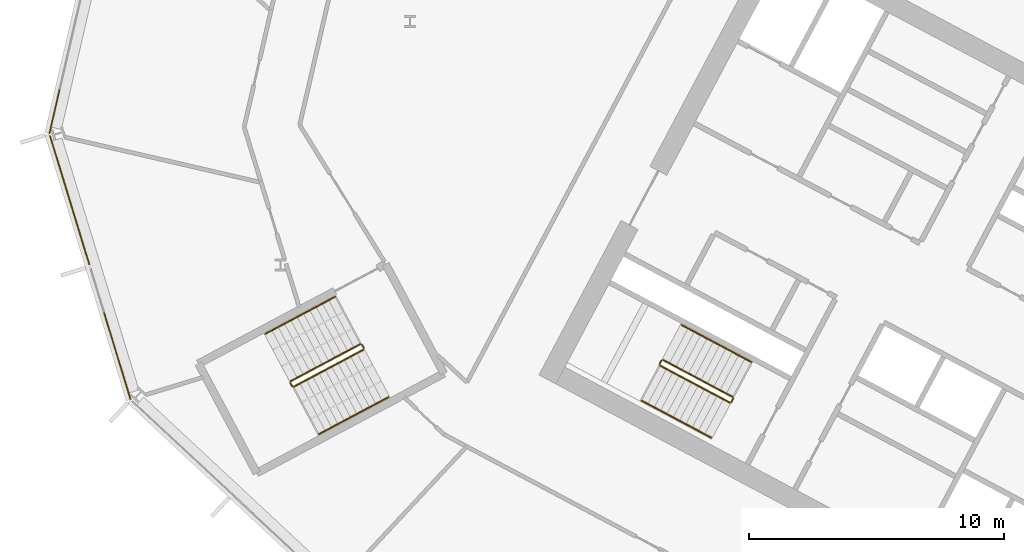
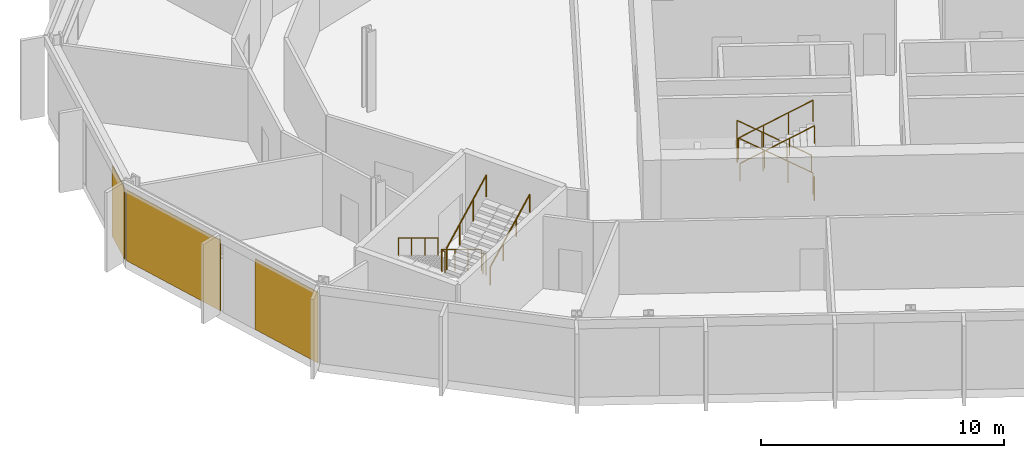
# One storey, part 26 of 34: 12 railings, 3 coverings, 2 elements without a shape of their own.
"""IFC4 building model written with IfcOpenShell, lengths in metres."""

from ifc_helpers import new_model, si_unit, direction, frame, origin, origin_2d, place, context, subcontext, project, spatial, polyline, rectangle, outline, extrude, material, layer, layer_set, type_object, element, aggregate, save


model = new_model("IFC4")

# Units and contexts
model_context = context("Model", 3, precision=1e-05, world=origin(), true_north=direction((0.0, 1.0)))
body_context = subcontext(model_context, "Body", "Model", "MODEL_VIEW")
ifc_project = project(units=[si_unit("LENGTHUNIT", "METRE"), si_unit("AREAUNIT", "SQUARE_METRE"), si_unit("VOLUMEUNIT", "CUBIC_METRE"), si_unit("PLANEANGLEUNIT", "RADIAN"), si_unit("MASSUNIT", "GRAM", prefix="KILO")], contexts=[model_context])

# Site, building, storey
site_placement = place(None, origin())
site = spatial("IfcSite", under=ifc_project, at=site_placement, CompositionType="ELEMENT")
building_placement = place(site_placement, origin())
building = spatial("IfcBuilding", under=site, at=building_placement, Name="Cormorant Relay Tower", CompositionType="ELEMENT")
storey_placement = place(building_placement, frame((0.0, 0.0, 118.199951171875)))
storey = spatial("IfcBuildingStorey", under=building, at=storey_placement, Name="L23", CompositionType="ELEMENT", Elevation=118.199951171875)

# Curtain wall, covering
ifc_material_1 = material(Name="Aluminium 6063-T6 anodised bronze", Category="aluminium")
ifc_layer_1 = layer(ifc_material_1, 0.199951171875)
ifc_layer_set_1 = layer_set([ifc_layer_1], Name="CW1 unitised bronze curtain wall with vertical fins")
curtain_wall_type = type_object("IfcCurtainWallType", Name="CW1 unitised bronze curtain wall with vertical fins", PredefinedType="NOTDEFINED", material=ifc_layer_set_1)
curtain_wall_1_placement = place(storey_placement, origin())
curtain_wall_1 = element("IfcCurtainWall", 1, at=curtain_wall_1_placement, inside=storey, type_object=curtain_wall_type, Name="CW1 curtain wall 13", PredefinedType="NOTDEFINED")
ifc_material_2 = material(Name="Pale bronze anodised aluminium insulated panel", Category="aluminium")
ifc_layer_2 = layer(ifc_material_2, 0.0400390625)
ifc_layer_set_2 = layer_set([ifc_layer_2], Name="CW1 pale bronze insulated panel 40")
covering_type = type_object("IfcCoveringType", Name="CW1 pale bronze insulated panel 40", PredefinedType="CLADDING", material=ifc_layer_set_2)
covering_1_placement = place(storey_placement, frame((-60.54150390625, 21.25537109375, 0.0), z_axis=(0.0, 0.0, 1.0), x_axis=(-0.224951054344, -0.974370064785, 0.0)))
covering_1 = element("IfcCovering", 2, at=covering_1_placement, type_object=covering_type, Name="CW1 panel S02", PredefinedType="CLADDING", context=body_context, shape_type="SweptSolid", body=[
    extrude(rectangle(XDim=1.76025390625, YDim=0.0400390625, at=origin_2d()), origin(), (0.0, 0.0, 1.0), 3.550048828125),
])
aggregate(curtain_wall_1, [covering_1])

# Curtain wall, coverings
curtain_wall_2_placement = place(storey_placement, origin())
curtain_wall_2 = element("IfcCurtainWall", 3, at=curtain_wall_2_placement, inside=storey, type_object=curtain_wall_type, Name="CW1 curtain wall 14", PredefinedType="NOTDEFINED")
covering_2_placement = place(storey_placement, frame((-59.9443359375, 17.78857421875, 0.0), z_axis=(0.0, 0.0, 1.0), x_axis=(0.292371704723, -0.956304755963, 0.0)))
covering_2 = element("IfcCovering", 4, at=covering_2_placement, type_object=covering_type, Name="CW1 panel S00", PredefinedType="CLADDING", context=body_context, shape_type="SweptSolid", body=[
    extrude(rectangle(XDim=5.28515625, YDim=0.0400390625, at=origin_2d()), origin(), (0.0, 0.0, 1.0), 3.550048828125),
])
covering_3_placement = place(storey_placement, frame((-58.081298828125, 11.6943359375, 0.0), z_axis=(0.0, 0.0, 1.0), x_axis=(0.292371704723, -0.956304755963, 0.0)))
covering_3 = element("IfcCovering", 5, at=covering_3_placement, type_object=covering_type, Name="CW1 panel S02", PredefinedType="CLADDING", context=body_context, shape_type="SweptSolid", body=[
    extrude(rectangle(XDim=3.560302734375, YDim=0.0400390625, at=origin_2d()), origin(), (0.0, 0.0, 1.0), 3.550048828125),
])
aggregate(curtain_wall_2, [covering_2, covering_3])

# Railings
ifc_material_3 = material(Name="Steel ASTM A572 Grade 50 (Fy 345 MPa)", Category="steel")
railing_type_1 = type_object("IfcRailingType", Name="Stair guard 1100", PredefinedType="GUARDRAIL", material=ifc_material_3)
railing_1_placement = place(storey_placement, frame((-33.9921875, 10.08935546875, 0.166748046875)))
element("IfcRailing", 6, at=railing_1_placement, inside=storey, type_object=railing_type_1, Name="L23 A2 stair guard 1", PredefinedType="GUARDRAIL", context=body_context, shape_type="SweptSolid", body=[
    extrude(outline(polyline([(0.022216796875, 0.00927734375), (0.00927734375, 0.022216796875), (-0.00927734375, 0.022216796875), (-0.022216796875, 0.00927734375), (-0.022216796875, -0.00927734375), (-0.00927734375, -0.022216796875), (0.00927734375, -0.022216796875), (0.022216796875, -0.00927734375), (0.022216796875, 0.00927734375)])), frame((0.0, 0.0, 1.076171875), z_axis=(-0.758713656843, 0.403434867536, 0.511462505542), x_axis=(-0.469489399267, -0.882938108802, 0.0)), (0.0, 0.0, 1.0), 3.584228515625),
    extrude(outline(polyline([(0.019287109375, 0.008056640625), (0.008056640625, 0.019287109375), (-0.008056640625, 0.019287109375), (-0.019287109375, 0.008056640625), (-0.019287109375, -0.008056640625), (-0.008056640625, -0.019287109375), (0.008056640625, -0.019287109375), (0.019287109375, -0.008056640625), (0.019287109375, 0.008056640625)])), origin(), (0.0, 0.0, 1.0), 1.052001953125),
    extrude(outline(polyline([(0.019287109375, 0.008056640625), (0.008056640625, 0.019287109375), (-0.008056640625, 0.019287109375), (-0.019287109375, 0.008056640625), (-0.019287109375, -0.008056640625), (-0.008056640625, -0.019287109375), (0.008056640625, -0.019287109375), (0.019287109375, -0.008056640625), (0.019287109375, 0.008056640625)])), frame((-0.906494140625, 0.48193359375, 0.611083984375)), (0.0, 0.0, 1.0), 1.052001953125),
    extrude(outline(polyline([(0.019287109375, 0.008056640625), (0.008056640625, 0.019287109375), (-0.008056640625, 0.019287109375), (-0.019287109375, 0.008056640625), (-0.019287109375, -0.008056640625), (-0.008056640625, -0.019287109375), (0.008056640625, -0.019287109375), (0.019287109375, -0.008056640625), (0.019287109375, 0.008056640625)])), frame((-1.81298828125, 0.964111328125, 1.22216796875)), (0.0, 0.0, 1.0), 1.052001953125),
    extrude(outline(polyline([(0.019287109375, 0.008056640625), (0.008056640625, 0.019287109375), (-0.008056640625, 0.019287109375), (-0.019287109375, 0.008056640625), (-0.019287109375, -0.008056640625), (-0.008056640625, -0.019287109375), (0.008056640625, -0.019287109375), (0.019287109375, -0.008056640625), (0.019287109375, 0.008056640625)])), frame((-2.719482421875, 1.446044921875, 1.833251953125)), (0.0, 0.0, 1.0), 1.052001953125),
])
railing_2_placement = place(storey_placement, frame((-36.779296875, 11.5146484375, 2.0)))
element("IfcRailing", 7, at=railing_2_placement, inside=storey, type_object=railing_type_1, Name="L23 A2 stair guard 2", PredefinedType="GUARDRAIL", context=body_context, shape_type="SweptSolid", body=[
    extrude(outline(polyline([(0.022216796875, 0.00927734375), (0.00927734375, 0.022216796875), (-0.00927734375, 0.022216796875), (-0.022216796875, 0.00927734375), (-0.022216796875, -0.00927734375), (-0.00927734375, -0.022216796875), (0.00927734375, -0.022216796875), (0.022216796875, -0.00927734375), (0.022216796875, 0.00927734375)])), frame((0.0, 0.0, 1.076171875), z_axis=(-0.469234640946, -0.883073525669, 0.0), x_axis=(0.883073525669, -0.469234640946, 0.0)), (0.0, 0.0, 1.0), 0.14990234375),
    extrude(outline(polyline([(0.019287109375, 0.008056640625), (0.008056640625, 0.019287109375), (-0.008056640625, 0.019287109375), (-0.019287109375, 0.008056640625), (-0.019287109375, -0.008056640625), (-0.008056640625, -0.019287109375), (0.008056640625, -0.019287109375), (0.019287109375, -0.008056640625), (0.019287109375, 0.008056640625)])), origin(), (0.0, 0.0, 1.0), 1.052001953125),
    extrude(outline(polyline([(0.019287109375, 0.008056640625), (0.008056640625, 0.019287109375), (-0.008056640625, 0.019287109375), (-0.019287109375, 0.008056640625), (-0.019287109375, -0.008056640625), (-0.008056640625, -0.019287109375), (0.008056640625, -0.019287109375), (0.019287109375, -0.008056640625), (0.019287109375, 0.008056640625)])), frame((-0.0703125, -0.13232421875, 0.0)), (0.0, 0.0, 1.0), 1.052001953125),
])
railing_3_placement = place(storey_placement, frame((-36.8291015625, 11.314697265625, 2.166748046875)))
element("IfcRailing", 8, at=railing_3_placement, inside=storey, type_object=railing_type_1, Name="L23 A2 stair guard 3", PredefinedType="GUARDRAIL", context=body_context, shape_type="SweptSolid", body=[
    extrude(outline(polyline([(0.022216796875, 0.00927734375), (0.00927734375, 0.022216796875), (-0.00927734375, 0.022216796875), (-0.022216796875, 0.00927734375), (-0.022216796875, -0.00927734375), (-0.00927734375, -0.022216796875), (0.00927734375, -0.022216796875), (0.022216796875, -0.00927734375), (0.022216796875, 0.00927734375)])), frame((0.0, 0.0, 1.076171875), z_axis=(0.758713656843, -0.403434867536, 0.511462505542), x_axis=(0.469489399267, 0.882938108802, 0.0)), (0.0, 0.0, 1.0), 3.584228515625),
    extrude(outline(polyline([(0.019287109375, 0.008056640625), (0.008056640625, 0.019287109375), (-0.008056640625, 0.019287109375), (-0.019287109375, 0.008056640625), (-0.019287109375, -0.008056640625), (-0.008056640625, -0.019287109375), (0.008056640625, -0.019287109375), (0.019287109375, -0.008056640625), (0.019287109375, 0.008056640625)])), origin(), (0.0, 0.0, 1.0), 1.052001953125),
    extrude(outline(polyline([(0.019287109375, 0.008056640625), (0.008056640625, 0.019287109375), (-0.008056640625, 0.019287109375), (-0.019287109375, 0.008056640625), (-0.019287109375, -0.008056640625), (-0.008056640625, -0.019287109375), (0.008056640625, -0.019287109375), (0.019287109375, -0.008056640625), (0.019287109375, 0.008056640625)])), frame((0.906494140625, -0.48193359375, 0.611083984375)), (0.0, 0.0, 1.0), 1.052001953125),
    extrude(outline(polyline([(0.019287109375, 0.008056640625), (0.008056640625, 0.019287109375), (-0.008056640625, 0.019287109375), (-0.019287109375, 0.008056640625), (-0.019287109375, -0.008056640625), (-0.008056640625, -0.019287109375), (0.008056640625, -0.019287109375), (0.019287109375, -0.008056640625), (0.019287109375, 0.008056640625)])), frame((1.81298828125, -0.964111328125, 1.22216796875)), (0.0, 0.0, 1.0), 1.052001953125),
    extrude(outline(polyline([(0.019287109375, 0.008056640625), (0.008056640625, 0.019287109375), (-0.008056640625, 0.019287109375), (-0.019287109375, 0.008056640625), (-0.019287109375, -0.008056640625), (-0.008056640625, -0.019287109375), (0.008056640625, -0.019287109375), (0.019287109375, -0.008056640625), (0.019287109375, 0.008056640625)])), frame((2.719482421875, -1.446044921875, 1.833251953125)), (0.0, 0.0, 1.0), 1.052001953125),
])
railing_4_placement = place(storey_placement, frame((-33.971435546875, 10.021728515625, 0.0)))
element("IfcRailing", 9, at=railing_4_placement, inside=storey, type_object=railing_type_1, Name="L23 A2 stair guard 4", PredefinedType="GUARDRAIL", context=body_context, shape_type="SweptSolid", body=[
    extrude(outline(polyline([(0.022216796875, 0.00927734375), (0.00927734375, 0.022216796875), (-0.00927734375, 0.022216796875), (-0.022216796875, 0.00927734375), (-0.022216796875, -0.00927734375), (-0.00927734375, -0.022216796875), (0.00927734375, -0.022216796875), (0.022216796875, -0.00927734375), (0.022216796875, 0.00927734375)])), frame((0.0, 0.0, 1.076171875), z_axis=(-0.470503732759, -0.882398003998, 0.0), x_axis=(0.882398003998, -0.470503732759, 0.0)), (0.0, 0.0, 1.0), 0.14990234375),
    extrude(outline(polyline([(0.019287109375, 0.008056640625), (0.008056640625, 0.019287109375), (-0.008056640625, 0.019287109375), (-0.019287109375, 0.008056640625), (-0.019287109375, -0.008056640625), (-0.008056640625, -0.019287109375), (0.008056640625, -0.019287109375), (0.019287109375, -0.008056640625), (0.019287109375, 0.008056640625)])), origin(), (0.0, 0.0, 1.0), 1.052001953125),
    extrude(outline(polyline([(0.019287109375, 0.008056640625), (0.008056640625, 0.019287109375), (-0.008056640625, 0.019287109375), (-0.019287109375, 0.008056640625), (-0.019287109375, -0.008056640625), (-0.008056640625, -0.019287109375), (0.008056640625, -0.019287109375), (0.019287109375, -0.008056640625), (0.019287109375, 0.008056640625)])), frame((-0.070556640625, -0.13232421875, 0.0)), (0.0, 0.0, 1.0), 1.052001953125),
])
railing_5_placement = place(storey_placement, frame((-48.5693359375, 12.155517578125, 0.166748046875)))
element("IfcRailing", 10, at=railing_5_placement, inside=storey, type_object=railing_type_1, Name="L23 RP1 stair guard 1", PredefinedType="GUARDRAIL", context=body_context, shape_type="SweptSolid", body=[
    extrude(outline(polyline([(0.022216796875, 0.00927734375), (0.00927734375, 0.022216796875), (-0.00927734375, 0.022216796875), (-0.022216796875, 0.00927734375), (-0.022216796875, -0.00927734375), (-0.00927734375, -0.022216796875), (0.00927734375, -0.022216796875), (0.022216796875, -0.00927734375), (0.022216796875, 0.00927734375)])), frame((0.0, 0.0, 1.076171875), z_axis=(-0.758713656843, -0.403434867536, 0.511462505542), x_axis=(0.469489399267, -0.882938108802, 0.0)), (0.0, 0.0, 1.0), 3.584228515625),
    extrude(outline(polyline([(0.019287109375, 0.008056640625), (0.008056640625, 0.019287109375), (-0.008056640625, 0.019287109375), (-0.019287109375, 0.008056640625), (-0.019287109375, -0.008056640625), (-0.008056640625, -0.019287109375), (0.008056640625, -0.019287109375), (0.019287109375, -0.008056640625), (0.019287109375, 0.008056640625)])), origin(), (0.0, 0.0, 1.0), 1.052001953125),
    extrude(outline(polyline([(0.019287109375, 0.008056640625), (0.008056640625, 0.019287109375), (-0.008056640625, 0.019287109375), (-0.019287109375, 0.008056640625), (-0.019287109375, -0.008056640625), (-0.008056640625, -0.019287109375), (0.008056640625, -0.019287109375), (0.019287109375, -0.008056640625), (0.019287109375, 0.008056640625)])), frame((-0.906494140625, -0.48193359375, 0.611083984375)), (0.0, 0.0, 1.0), 1.052001953125),
    extrude(outline(polyline([(0.019287109375, 0.008056640625), (0.008056640625, 0.019287109375), (-0.008056640625, 0.019287109375), (-0.019287109375, 0.008056640625), (-0.019287109375, -0.008056640625), (-0.008056640625, -0.019287109375), (0.008056640625, -0.019287109375), (0.019287109375, -0.008056640625), (0.019287109375, 0.008056640625)])), frame((-1.81298828125, -0.964111328125, 1.22216796875)), (0.0, 0.0, 1.0), 1.052001953125),
    extrude(outline(polyline([(0.019287109375, 0.008056640625), (0.008056640625, 0.019287109375), (-0.008056640625, 0.019287109375), (-0.019287109375, 0.008056640625), (-0.019287109375, -0.008056640625), (-0.008056640625, -0.019287109375), (0.008056640625, -0.019287109375), (0.019287109375, -0.008056640625), (0.019287109375, 0.008056640625)])), frame((-2.719482421875, -1.446044921875, 1.833251953125)), (0.0, 0.0, 1.0), 1.052001953125),
])
railing_6_placement = place(storey_placement, frame((-51.3095703125, 10.641845703125, 2.0)))
element("IfcRailing", 11, at=railing_6_placement, inside=storey, type_object=railing_type_1, Name="L23 RP1 stair guard 2", PredefinedType="GUARDRAIL", context=body_context, shape_type="SweptSolid", body=[
    extrude(outline(polyline([(0.022216796875, 0.00927734375), (0.00927734375, 0.022216796875), (-0.00927734375, 0.022216796875), (-0.022216796875, 0.00927734375), (-0.022216796875, -0.00927734375), (-0.00927734375, -0.022216796875), (0.00927734375, -0.022216796875), (0.022216796875, -0.00927734375), (0.022216796875, 0.00927734375)])), frame((0.0, 0.0, 1.076171875), z_axis=(0.469828648786, -0.882757634224, 0.0), x_axis=(0.882757634224, 0.469828648786, 0.0)), (0.0, 0.0, 1.0), 0.150146484375),
    extrude(outline(polyline([(0.019287109375, 0.008056640625), (0.008056640625, 0.019287109375), (-0.008056640625, 0.019287109375), (-0.019287109375, 0.008056640625), (-0.019287109375, -0.008056640625), (-0.008056640625, -0.019287109375), (0.008056640625, -0.019287109375), (0.019287109375, -0.008056640625), (0.019287109375, 0.008056640625)])), origin(), (0.0, 0.0, 1.0), 1.052001953125),
    extrude(outline(polyline([(0.019287109375, 0.008056640625), (0.008056640625, 0.019287109375), (-0.008056640625, 0.019287109375), (-0.019287109375, 0.008056640625), (-0.019287109375, -0.008056640625), (-0.008056640625, -0.019287109375), (0.008056640625, -0.019287109375), (0.019287109375, -0.008056640625), (0.019287109375, 0.008056640625)])), frame((0.070556640625, -0.132568359375, 0.0)), (0.0, 0.0, 1.0), 1.052001953125),
])
railing_7_placement = place(storey_placement, frame((-51.17138671875, 10.48876953125, 2.166748046875)))
element("IfcRailing", 12, at=railing_7_placement, inside=storey, type_object=railing_type_1, Name="L23 RP1 stair guard 3", PredefinedType="GUARDRAIL", context=body_context, shape_type="SweptSolid", body=[
    extrude(outline(polyline([(0.022216796875, 0.00927734375), (0.00927734375, 0.022216796875), (-0.00927734375, 0.022216796875), (-0.022216796875, 0.00927734375), (-0.022216796875, -0.00927734375), (-0.00927734375, -0.022216796875), (0.00927734375, -0.022216796875), (0.022216796875, -0.00927734375), (0.022216796875, 0.00927734375)])), frame((0.0, 0.0, 1.076171875), z_axis=(0.758734504837, 0.403377838015, 0.511476559549), x_axis=(-0.469427602063, 0.882970965786, 0.0)), (0.0, 0.0, 1.0), 3.584228515625),
    extrude(outline(polyline([(0.019287109375, 0.008056640625), (0.008056640625, 0.019287109375), (-0.008056640625, 0.019287109375), (-0.019287109375, 0.008056640625), (-0.019287109375, -0.008056640625), (-0.008056640625, -0.019287109375), (0.008056640625, -0.019287109375), (0.019287109375, -0.008056640625), (0.019287109375, 0.008056640625)])), origin(), (0.0, 0.0, 1.0), 1.052001953125),
    extrude(outline(polyline([(0.019287109375, 0.008056640625), (0.008056640625, 0.019287109375), (-0.008056640625, 0.019287109375), (-0.019287109375, 0.008056640625), (-0.019287109375, -0.008056640625), (-0.008056640625, -0.019287109375), (0.008056640625, -0.019287109375), (0.019287109375, -0.008056640625), (0.019287109375, 0.008056640625)])), frame((0.906494140625, 0.48193359375, 0.611083984375)), (0.0, 0.0, 1.0), 1.052001953125),
    extrude(outline(polyline([(0.019287109375, 0.008056640625), (0.008056640625, 0.019287109375), (-0.008056640625, 0.019287109375), (-0.019287109375, 0.008056640625), (-0.019287109375, -0.008056640625), (-0.008056640625, -0.019287109375), (0.008056640625, -0.019287109375), (0.019287109375, -0.008056640625), (0.019287109375, 0.008056640625)])), frame((1.81298828125, 0.9638671875, 1.22216796875)), (0.0, 0.0, 1.0), 1.052001953125),
    extrude(outline(polyline([(0.019287109375, 0.008056640625), (0.008056640625, 0.019287109375), (-0.008056640625, 0.019287109375), (-0.019287109375, 0.008056640625), (-0.019287109375, -0.008056640625), (-0.008056640625, -0.019287109375), (0.008056640625, -0.019287109375), (0.019287109375, -0.008056640625), (0.019287109375, 0.008056640625)])), frame((2.719482421875, 1.44580078125, 1.833251953125)), (0.0, 0.0, 1.0), 1.052001953125),
])
railing_8_placement = place(storey_placement, frame((-48.501708984375, 12.134765625, 0.0)))
element("IfcRailing", 13, at=railing_8_placement, inside=storey, type_object=railing_type_1, Name="L23 RP1 stair guard 4", PredefinedType="GUARDRAIL", context=body_context, shape_type="SweptSolid", body=[
    extrude(outline(polyline([(0.022216796875, 0.00927734375), (0.00927734375, 0.022216796875), (-0.00927734375, 0.022216796875), (-0.022216796875, 0.00927734375), (-0.022216796875, -0.00927734375), (-0.00927734375, -0.022216796875), (0.00927734375, -0.022216796875), (0.022216796875, -0.00927734375), (0.022216796875, 0.00927734375)])), frame((0.0, 0.0, 1.076171875), z_axis=(0.46856034887, -0.8834314911, 0.0), x_axis=(0.8834314911, 0.46856034887, 0.0)), (0.0, 0.0, 1.0), 0.150146484375),
    extrude(outline(polyline([(0.019287109375, 0.008056640625), (0.008056640625, 0.019287109375), (-0.008056640625, 0.019287109375), (-0.019287109375, 0.008056640625), (-0.019287109375, -0.008056640625), (-0.008056640625, -0.019287109375), (0.008056640625, -0.019287109375), (0.019287109375, -0.008056640625), (0.019287109375, 0.008056640625)])), origin(), (0.0, 0.0, 1.0), 1.052001953125),
    extrude(outline(polyline([(0.019287109375, 0.008056640625), (0.008056640625, 0.019287109375), (-0.008056640625, 0.019287109375), (-0.019287109375, 0.008056640625), (-0.019287109375, -0.008056640625), (-0.008056640625, -0.019287109375), (0.008056640625, -0.019287109375), (0.019287109375, -0.008056640625), (0.019287109375, 0.008056640625)])), frame((0.0703125, -0.132568359375, 0.0)), (0.0, 0.0, 1.0), 1.052001953125),
])
ifc_material_4 = material(Name="Steel ASTM A572 Grade 50 (Fy 345 MPa)", Category="steel")
railing_type_2 = type_object("IfcRailingType", Name="Stair handrail 900", PredefinedType="HANDRAIL", material=ifc_material_4)
railing_9_placement = place(storey_placement, frame((-33.264404296875, 11.4580078125, 0.166748046875)))
element("IfcRailing", 14, at=railing_9_placement, inside=storey, type_object=railing_type_2, Name="L23 A2 stair handrail 1", PredefinedType="HANDRAIL", context=body_context, shape_type="SweptSolid", body=[
    extrude(outline(polyline([(0.022216796875, 0.00927734375), (0.00927734375, 0.022216796875), (-0.00927734375, 0.022216796875), (-0.022216796875, 0.00927734375), (-0.022216796875, -0.00927734375), (-0.00927734375, -0.022216796875), (0.00927734375, -0.022216796875), (0.022216796875, -0.00927734375), (0.022216796875, 0.00927734375)])), frame((0.0, 0.0, 0.8759765625), z_axis=(-0.758734504837, 0.403377838015, 0.511476559549), x_axis=(-0.469427602063, -0.882970965786, 0.0)), (0.0, 0.0, 1.0), 3.584228515625),
    extrude(outline(polyline([(0.019287109375, 0.008056640625), (0.008056640625, 0.019287109375), (-0.008056640625, 0.019287109375), (-0.019287109375, 0.008056640625), (-0.019287109375, -0.008056640625), (-0.008056640625, -0.019287109375), (0.008056640625, -0.019287109375), (0.019287109375, -0.008056640625), (0.019287109375, 0.008056640625)])), origin(), (0.0, 0.0, 1.0), 0.851806640625),
    extrude(outline(polyline([(0.019287109375, 0.008056640625), (0.008056640625, 0.019287109375), (-0.008056640625, 0.019287109375), (-0.019287109375, 0.008056640625), (-0.019287109375, -0.008056640625), (-0.008056640625, -0.019287109375), (0.008056640625, -0.019287109375), (0.019287109375, -0.008056640625), (0.019287109375, 0.008056640625)])), frame((-0.906494140625, 0.48193359375, 0.611083984375)), (0.0, 0.0, 1.0), 0.851806640625),
    extrude(outline(polyline([(0.019287109375, 0.008056640625), (0.008056640625, 0.019287109375), (-0.008056640625, 0.019287109375), (-0.019287109375, 0.008056640625), (-0.019287109375, -0.008056640625), (-0.008056640625, -0.019287109375), (0.008056640625, -0.019287109375), (0.019287109375, -0.008056640625), (0.019287109375, 0.008056640625)])), frame((-1.81298828125, 0.9638671875, 1.22216796875)), (0.0, 0.0, 1.0), 0.851806640625),
    extrude(outline(polyline([(0.019287109375, 0.008056640625), (0.008056640625, 0.019287109375), (-0.008056640625, 0.019287109375), (-0.019287109375, 0.008056640625), (-0.019287109375, -0.008056640625), (-0.008056640625, -0.019287109375), (0.008056640625, -0.019287109375), (0.019287109375, -0.008056640625), (0.019287109375, 0.008056640625)])), frame((-2.719482421875, 1.44580078125, 1.833251953125)), (0.0, 0.0, 1.0), 0.851806640625),
])
railing_10_placement = place(storey_placement, frame((-37.556640625, 9.946044921875, 2.166748046875)))
element("IfcRailing", 15, at=railing_10_placement, inside=storey, type_object=railing_type_2, Name="L23 A2 stair handrail 2", PredefinedType="HANDRAIL", context=body_context, shape_type="SweptSolid", body=[
    extrude(outline(polyline([(0.022216796875, 0.00927734375), (0.00927734375, 0.022216796875), (-0.00927734375, 0.022216796875), (-0.022216796875, 0.00927734375), (-0.022216796875, -0.00927734375), (-0.00927734375, -0.022216796875), (0.00927734375, -0.022216796875), (0.022216796875, -0.00927734375), (0.022216796875, 0.00927734375)])), frame((0.0, 0.0, 0.8759765625), z_axis=(0.758713656843, -0.403434867536, 0.511462505542), x_axis=(0.469489399267, 0.882938108802, 0.0)), (0.0, 0.0, 1.0), 3.584228515625),
    extrude(outline(polyline([(0.019287109375, 0.008056640625), (0.008056640625, 0.019287109375), (-0.008056640625, 0.019287109375), (-0.019287109375, 0.008056640625), (-0.019287109375, -0.008056640625), (-0.008056640625, -0.019287109375), (0.008056640625, -0.019287109375), (0.019287109375, -0.008056640625), (0.019287109375, 0.008056640625)])), origin(), (0.0, 0.0, 1.0), 0.851806640625),
    extrude(outline(polyline([(0.019287109375, 0.008056640625), (0.008056640625, 0.019287109375), (-0.008056640625, 0.019287109375), (-0.019287109375, 0.008056640625), (-0.019287109375, -0.008056640625), (-0.008056640625, -0.019287109375), (0.008056640625, -0.019287109375), (0.019287109375, -0.008056640625), (0.019287109375, 0.008056640625)])), frame((0.906494140625, -0.48193359375, 0.611083984375)), (0.0, 0.0, 1.0), 0.851806640625),
    extrude(outline(polyline([(0.019287109375, 0.008056640625), (0.008056640625, 0.019287109375), (-0.008056640625, 0.019287109375), (-0.019287109375, 0.008056640625), (-0.019287109375, -0.008056640625), (-0.008056640625, -0.019287109375), (0.008056640625, -0.019287109375), (0.019287109375, -0.008056640625), (0.019287109375, 0.008056640625)])), frame((1.81298828125, -0.964111328125, 1.22216796875)), (0.0, 0.0, 1.0), 0.851806640625),
    extrude(outline(polyline([(0.019287109375, 0.008056640625), (0.008056640625, 0.019287109375), (-0.008056640625, 0.019287109375), (-0.019287109375, 0.008056640625), (-0.019287109375, -0.008056640625), (-0.008056640625, -0.019287109375), (0.008056640625, -0.019287109375), (0.019287109375, -0.008056640625), (0.019287109375, 0.008056640625)])), frame((2.719482421875, -1.446044921875, 1.833251953125)), (0.0, 0.0, 1.0), 0.851806640625),
])
railing_11_placement = place(storey_placement, frame((-49.55517578125, 14.009521484375, 0.166748046875)))
element("IfcRailing", 16, at=railing_11_placement, inside=storey, type_object=railing_type_2, Name="L23 RP1 stair handrail 1", PredefinedType="HANDRAIL", context=body_context, shape_type="SweptSolid", body=[
    extrude(outline(polyline([(0.022216796875, 0.00927734375), (0.00927734375, 0.022216796875), (-0.00927734375, 0.022216796875), (-0.022216796875, 0.00927734375), (-0.022216796875, -0.00927734375), (-0.00927734375, -0.022216796875), (0.00927734375, -0.022216796875), (0.022216796875, -0.00927734375), (0.022216796875, 0.00927734375)])), frame((0.0, 0.0, 0.8759765625), z_axis=(-0.758734504837, -0.403377838015, 0.511476559549), x_axis=(0.469427602063, -0.882970965786, 0.0)), (0.0, 0.0, 1.0), 3.584228515625),
    extrude(outline(polyline([(0.019287109375, 0.008056640625), (0.008056640625, 0.019287109375), (-0.008056640625, 0.019287109375), (-0.019287109375, 0.008056640625), (-0.019287109375, -0.008056640625), (-0.008056640625, -0.019287109375), (0.008056640625, -0.019287109375), (0.019287109375, -0.008056640625), (0.019287109375, 0.008056640625)])), origin(), (0.0, 0.0, 1.0), 0.851806640625),
    extrude(outline(polyline([(0.019287109375, 0.008056640625), (0.008056640625, 0.019287109375), (-0.008056640625, 0.019287109375), (-0.019287109375, 0.008056640625), (-0.019287109375, -0.008056640625), (-0.008056640625, -0.019287109375), (0.008056640625, -0.019287109375), (0.019287109375, -0.008056640625), (0.019287109375, 0.008056640625)])), frame((-0.906494140625, -0.48193359375, 0.611083984375)), (0.0, 0.0, 1.0), 0.851806640625),
    extrude(outline(polyline([(0.019287109375, 0.008056640625), (0.008056640625, 0.019287109375), (-0.008056640625, 0.019287109375), (-0.019287109375, 0.008056640625), (-0.019287109375, -0.008056640625), (-0.008056640625, -0.019287109375), (0.008056640625, -0.019287109375), (0.019287109375, -0.008056640625), (0.019287109375, 0.008056640625)])), frame((-1.81298828125, -0.9638671875, 1.22216796875)), (0.0, 0.0, 1.0), 0.851806640625),
    extrude(outline(polyline([(0.019287109375, 0.008056640625), (0.008056640625, 0.019287109375), (-0.008056640625, 0.019287109375), (-0.019287109375, 0.008056640625), (-0.019287109375, -0.008056640625), (-0.008056640625, -0.019287109375), (0.008056640625, -0.019287109375), (0.019287109375, -0.008056640625), (0.019287109375, 0.008056640625)])), frame((-2.719482421875, -1.44580078125, 1.833251953125)), (0.0, 0.0, 1.0), 0.851806640625),
])
railing_12_placement = place(storey_placement, frame((-50.185546875, 8.634521484375, 2.166748046875)))
element("IfcRailing", 17, at=railing_12_placement, inside=storey, type_object=railing_type_2, Name="L23 RP1 stair handrail 2", PredefinedType="HANDRAIL", context=body_context, shape_type="SweptSolid", body=[
    extrude(outline(polyline([(0.022216796875, 0.00927734375), (0.00927734375, 0.022216796875), (-0.00927734375, 0.022216796875), (-0.022216796875, 0.00927734375), (-0.022216796875, -0.00927734375), (-0.00927734375, -0.022216796875), (0.00927734375, -0.022216796875), (0.022216796875, -0.00927734375), (0.022216796875, 0.00927734375)])), frame((0.0, 0.0, 0.8759765625), z_axis=(0.758713656843, 0.403434867536, 0.511462505542), x_axis=(-0.469489399267, 0.882938108802, 0.0)), (0.0, 0.0, 1.0), 3.584228515625),
    extrude(outline(polyline([(0.019287109375, 0.008056640625), (0.008056640625, 0.019287109375), (-0.008056640625, 0.019287109375), (-0.019287109375, 0.008056640625), (-0.019287109375, -0.008056640625), (-0.008056640625, -0.019287109375), (0.008056640625, -0.019287109375), (0.019287109375, -0.008056640625), (0.019287109375, 0.008056640625)])), origin(), (0.0, 0.0, 1.0), 0.851806640625),
    extrude(outline(polyline([(0.019287109375, 0.008056640625), (0.008056640625, 0.019287109375), (-0.008056640625, 0.019287109375), (-0.019287109375, 0.008056640625), (-0.019287109375, -0.008056640625), (-0.008056640625, -0.019287109375), (0.008056640625, -0.019287109375), (0.019287109375, -0.008056640625), (0.019287109375, 0.008056640625)])), frame((0.906494140625, 0.48193359375, 0.611083984375)), (0.0, 0.0, 1.0), 0.851806640625),
    extrude(outline(polyline([(0.019287109375, 0.008056640625), (0.008056640625, 0.019287109375), (-0.008056640625, 0.019287109375), (-0.019287109375, 0.008056640625), (-0.019287109375, -0.008056640625), (-0.008056640625, -0.019287109375), (0.008056640625, -0.019287109375), (0.019287109375, -0.008056640625), (0.019287109375, 0.008056640625)])), frame((1.81298828125, 0.964111328125, 1.22216796875)), (0.0, 0.0, 1.0), 0.851806640625),
    extrude(outline(polyline([(0.019287109375, 0.008056640625), (0.008056640625, 0.019287109375), (-0.008056640625, 0.019287109375), (-0.019287109375, 0.008056640625), (-0.019287109375, -0.008056640625), (-0.008056640625, -0.019287109375), (0.008056640625, -0.019287109375), (0.019287109375, -0.008056640625), (0.019287109375, 0.008056640625)])), frame((2.719482421875, 1.446044921875, 1.833251953125)), (0.0, 0.0, 1.0), 0.851806640625),
])

save(model, "model.ifc")
